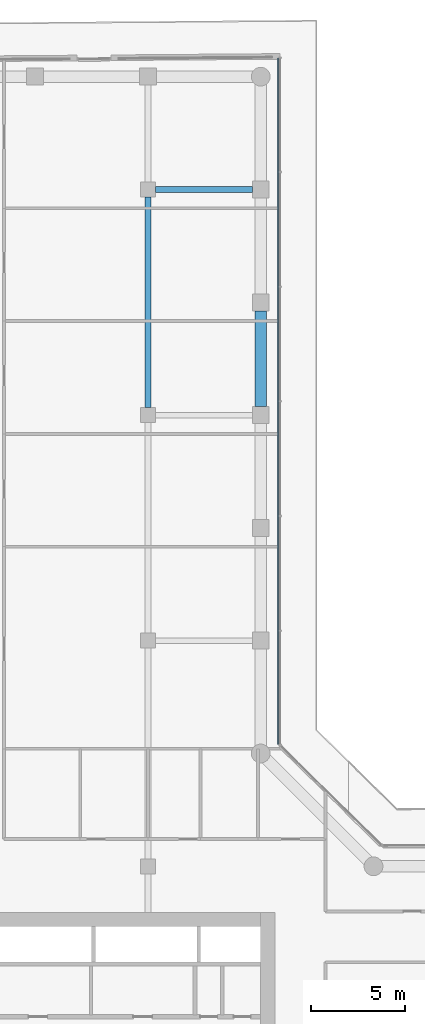
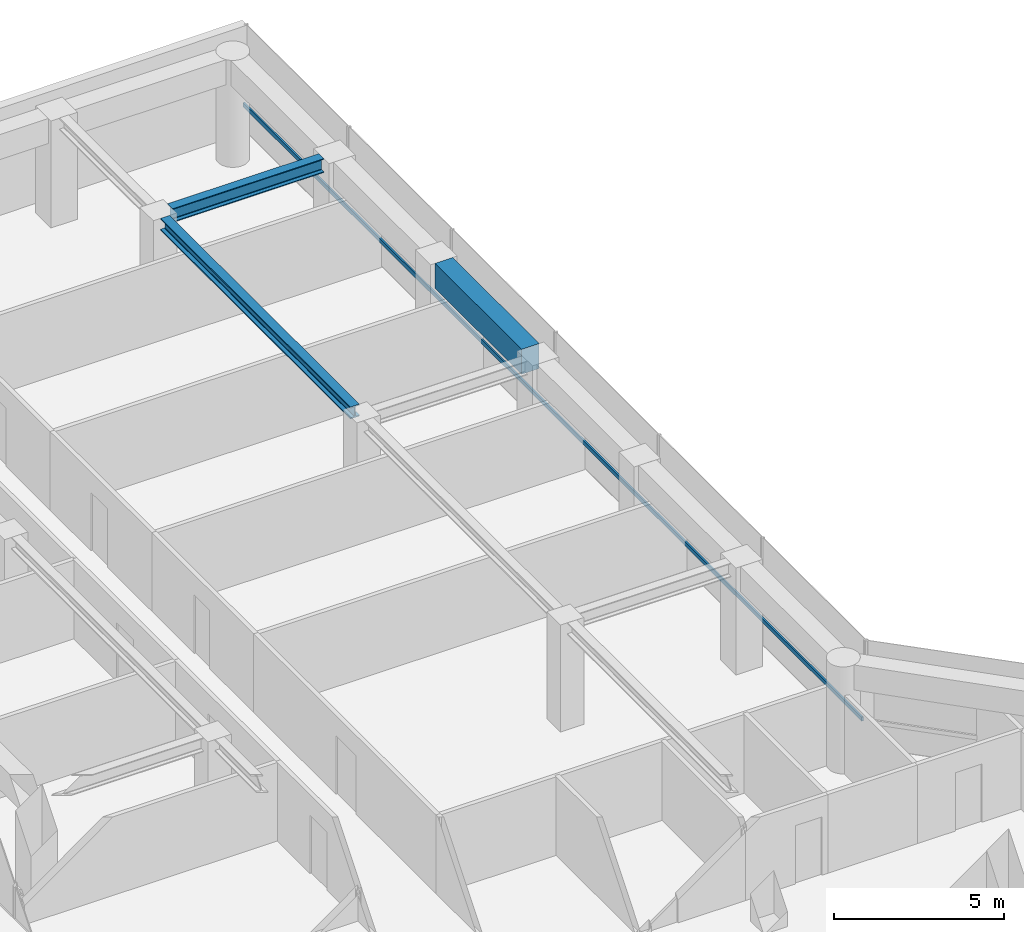
# One storey, part 13 of 21: 3 beams, 1 member, 1 element without a shape of its own.
"""IFC4 building model written with IfcOpenShell, lengths in metres."""

from ifc_helpers import new_model, si_unit, direction, frame, origin, origin_2d, place, context, subcontext, project, spatial, rectangle, i_section, extrude, material, layer, layer_set, material_profile, profile_set, type_object, element, aggregate, save


model = new_model("IFC4")

# Units and contexts
model_context = context("Model", 3, precision=1e-05, world=origin(), true_north=direction((0.0, 1.0)))
body_context = subcontext(model_context, "Body", "Model", "MODEL_VIEW")
ifc_project = project(units=[si_unit("LENGTHUNIT", "METRE"), si_unit("AREAUNIT", "SQUARE_METRE"), si_unit("VOLUMEUNIT", "CUBIC_METRE"), si_unit("PLANEANGLEUNIT", "RADIAN"), si_unit("MASSUNIT", "GRAM", prefix="KILO")], contexts=[model_context])

# Site, building, storey
site_placement = place(None, origin())
site = spatial("IfcSite", under=ifc_project, at=site_placement, CompositionType="ELEMENT")
building_placement = place(site_placement, origin())
building = spatial("IfcBuilding", under=site, at=building_placement, Name="Welwitschia Terrace Campus", CompositionType="ELEMENT")
storey_placement = place(building_placement, frame((0.0, 0.0, 108.800048828125)))
storey = spatial("IfcBuildingStorey", under=building, at=storey_placement, Name="L24", CompositionType="ELEMENT", Elevation=108.800048828125)

# Beams
ifc_material_1 = material(Name="Steel S355", Category="steel")
ifc_material_profile_1 = material_profile(ifc_material_1, i_section(OverallWidth=0.306884765625, OverallDepth=0.431884765625, WebThickness=0.02099609375, FlangeThickness=0.0400390625, FilletRadius=0.027099609375, at=origin_2d()))
ifc_profile_set_1 = profile_set([ifc_material_profile_1], Name="Steel S355")
beam_type_1 = type_object("IfcBeamType", Name="Interior girder HE 400 M", PredefinedType="BEAM", material=ifc_profile_set_1)
beam_1_placement = place(storey_placement, frame((18.0, 52.400390625, 3.634033203125), z_axis=(0.0, 1.0, 0.0), x_axis=(-1.0, 0.0, 0.0)))
element("IfcBeam", 1, at=beam_1_placement, inside=storey, type_object=beam_type_1, Name="Girder GB3", PredefinedType="BEAM", context=body_context, shape_type="SweptSolid", body=[
    extrude(i_section(OverallWidth=0.306884765625, OverallDepth=0.431884765625, WebThickness=0.02099609375, FlangeThickness=0.0400390625, FilletRadius=0.027099609375, at=origin_2d()), origin(), (0.0, 0.0, 1.0), 11.19921875),
])
ifc_material_2 = material(Name="Steel S355", Category="steel")
ifc_material_profile_2 = material_profile(ifc_material_2, i_section(OverallWidth=0.300048828125, OverallDepth=0.5, WebThickness=0.014404296875, FlangeThickness=0.028076171875, FilletRadius=0.027099609375, at=origin_2d()))
ifc_profile_set_2 = profile_set([ifc_material_profile_2], Name="Steel S355")
beam_type_2 = type_object("IfcBeamType", Name="Primary beam HE 500 B", PredefinedType="BEAM", material=ifc_profile_set_2)
beam_2_placement = place(storey_placement, frame((23.549560546875, 64.0, 3.599853515625), z_axis=(-1.0, 0.0, 0.0), x_axis=(0.0, -1.0, 0.0)))
element("IfcBeam", 2, at=beam_2_placement, inside=storey, type_object=beam_type_2, Name="Primary beam PB3", PredefinedType="BEAM", context=body_context, shape_type="SweptSolid", body=[
    extrude(i_section(OverallWidth=0.300048828125, OverallDepth=0.5, WebThickness=0.014404296875, FlangeThickness=0.028076171875, FilletRadius=0.027099609375, at=origin_2d()), origin(), (0.0, 0.0, 1.0), 5.149169921875),
])
ifc_material_3 = material(Name="Concrete C60/75", Category="concrete")
ifc_material_profile_3 = material_profile(ifc_material_3, rectangle(XDim=0.60009765625, YDim=0.89990234375, at=origin_2d()))
ifc_profile_set_3 = profile_set([ifc_material_profile_3], Name="Concrete C60/75")
beam_type_3 = type_object("IfcBeamType", Name="Ring spandrel 600x900", PredefinedType="SPANDREL", material=ifc_profile_set_3)
beam_3_placement = place(storey_placement, frame((24.0, 52.450439453125, 3.39990234375), z_axis=(0.0, 1.0, 0.0), x_axis=(-1.0, 0.0, 0.0)))
element("IfcBeam", 3, at=beam_3_placement, inside=storey, type_object=beam_type_3, Name="Spandrel SP2", PredefinedType="SPANDREL", context=body_context, shape_type="SweptSolid", body=[
    extrude(rectangle(XDim=0.60009765625, YDim=0.89990234375, at=origin_2d()), origin(), (0.0, 0.0, 1.0), 5.09912109375),
])

# Curtain wall, member
ifc_material_4 = material(Name="Bronze anodised aluminium", Category="aluminium")
ifc_layer = layer(ifc_material_4, 0.1201171875)
ifc_layer_set = layer_set([ifc_layer], Name="Bronze anodised aluminium")
curtain_wall_type = type_object("IfcCurtainWallType", Name="Curtain wall CW2 tower 6000", PredefinedType="NOTDEFINED", material=ifc_layer_set)
curtain_wall_placement = place(storey_placement, origin())
curtain_wall = element("IfcCurtainWall", 4, at=curtain_wall_placement, inside=storey, type_object=curtain_wall_type, Name="CW L24.10.0", PredefinedType="NOTDEFINED")
ifc_material_5 = material(Name="Bronze anodised aluminium", Category="aluminium")
ifc_material_profile_4 = material_profile(ifc_material_5, rectangle(XDim=0.06005859375, YDim=0.14990234375, at=origin_2d()))
ifc_profile_set_4 = profile_set([ifc_material_profile_4], Name="Bronze anodised aluminium")
member_type = type_object("IfcMemberType", Name="Transom 60x150", PredefinedType="USERDEFINED", material=ifc_profile_set_4)
member_placement = place(storey_placement, frame((24.93994140625, 34.496337890625, 1.0), z_axis=(0.0, 1.0, 0.0), x_axis=(-1.0, 0.0, 0.0)))
member = element("IfcMember", 5, at=member_placement, type_object=member_type, Name="Transom L24.10.0", ObjectType="TRANSOM", PredefinedType="USERDEFINED", context=body_context, shape_type="SweptSolid", body=[
    extrude(rectangle(XDim=0.06005859375, YDim=0.14990234375, at=origin_2d()), origin(), (0.0, 0.0, 1.0), 36.473876953125),
])
aggregate(curtain_wall, [member])

save(model, "model.ifc")
